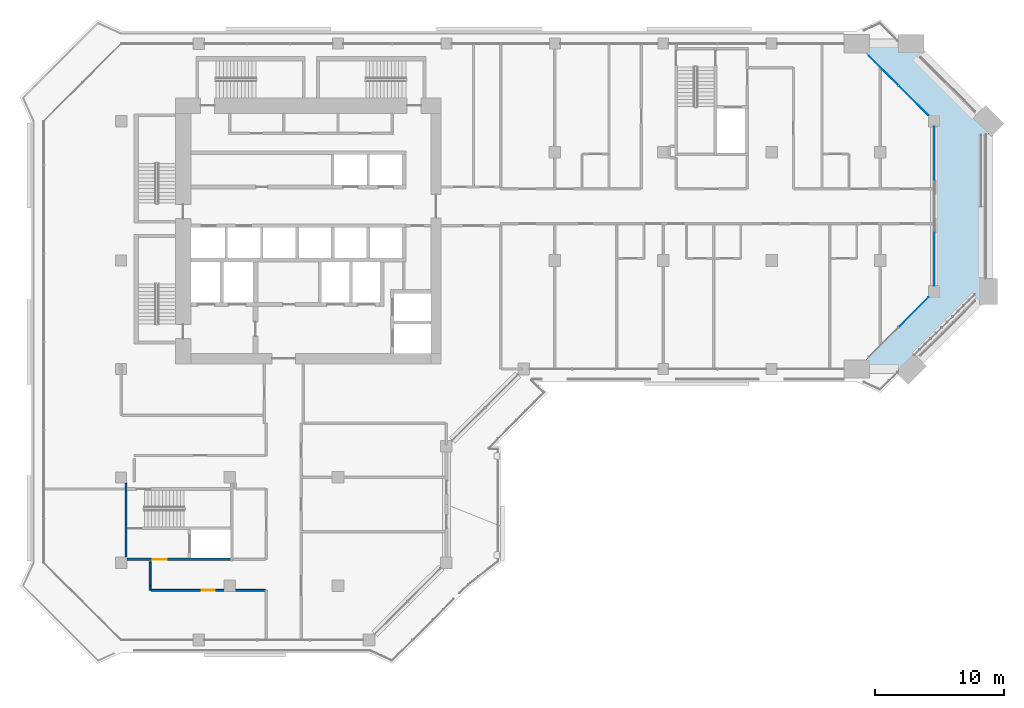
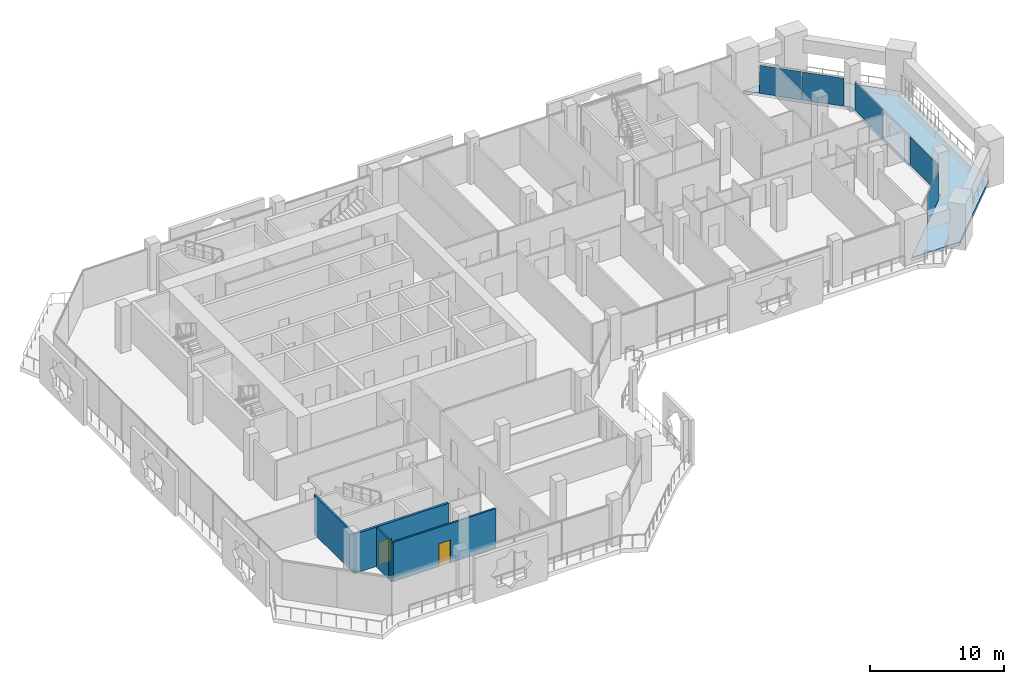
# One storey, part 9 of 21: 5 plates, 5 walls, 2 doors, 1 slab, 2 openings, 3 elements without a shape of their own.
"""IFC4 building model written with IfcOpenShell, lengths in metres."""

from ifc_helpers import new_model, si_unit, direction, frame, frame_2d, origin, origin_2d, place, context, subcontext, project, spatial, polyline, rectangle, outline, extrude, material, layer, layer_set, type_object, element, fill, aggregate, save


model = new_model("IFC4")

# Units and contexts
model_context = context("Model", 3, precision=1e-05, world=origin(), true_north=direction((0.0, 1.0)))
body_context = subcontext(model_context, "Body", "Model", "MODEL_VIEW")
ifc_project = project(units=[si_unit("LENGTHUNIT", "METRE"), si_unit("AREAUNIT", "SQUARE_METRE"), si_unit("VOLUMEUNIT", "CUBIC_METRE"), si_unit("PLANEANGLEUNIT", "RADIAN"), si_unit("MASSUNIT", "GRAM", prefix="KILO")], contexts=[model_context])

# Site, building, storey
site_placement = place(None, origin())
site = spatial("IfcSite", under=ifc_project, at=site_placement, CompositionType="ELEMENT")
building_placement = place(site_placement, origin())
building = spatial("IfcBuilding", under=site, at=building_placement, Name="Kawkab Arch Medical Tower", CompositionType="ELEMENT")
storey_placement = place(building_placement, frame((0.0, 0.0, 230.60009765625)))
storey = spatial("IfcBuildingStorey", under=building, at=storey_placement, Name="L53", CompositionType="ELEMENT", Elevation=230.60009765625)

# Curtain wall, plates
ifc_material_1 = material(Name="Bronze anodised aluminium curtain wall frame", Category="aluminium")
ifc_layer_1 = layer(ifc_material_1, 0.159912109375)
ifc_layer_set_1 = layer_set([ifc_layer_1], Name="Bronze anodised aluminium curtain wall frame")
curtain_wall_type_1 = type_object("IfcCurtainWallType", Name="CW1 ward curtain wall", PredefinedType="NOTDEFINED", material=ifc_layer_set_1)
placement = place(storey_placement, origin())
curtain_wall_1 = element("IfcCurtainWall", 1, at=placement, inside=storey, type_object=curtain_wall_type_1, Name="CW1 Ward curtain wall R09", PredefinedType="NOTDEFINED")
ifc_material_2 = material(Name="Tinted insulating glass, bronze low-e coating", Category="glass")
ifc_layer_2 = layer(ifc_material_2, 0.031982421875)
ifc_layer_set_2 = layer_set([ifc_layer_2], Name="Tinted insulating glass, bronze low-e coating")
plate_type_1 = type_object("IfcPlateType", Name="CW1 glazing unit 32", PredefinedType="CURTAIN_PANEL", material=ifc_layer_set_2)
plate_1_placement = place(storey_placement, frame((63.0, -16.699951171875, -0.000244140625), z_axis=(0.0, 0.0, 1.0), x_axis=(0.0, 1.0, 0.0)))
plate_1 = element("IfcPlate", 2, at=plate_1_placement, type_object=plate_type_1, Name="CW1 glazing unit 1.1", PredefinedType="CURTAIN_PANEL", context=body_context, shape_type="SweptSolid", body=[
    extrude(rectangle(XDim=4.10009765625, YDim=0.031982421875, at=origin_2d()), origin(), (0.0, 0.0, 1.0), 2.580078125),
])
plate_2_placement = place(storey_placement, frame((63.0, -8.5, -0.000244140625), z_axis=(0.0, 0.0, 1.0), x_axis=(0.0, 1.0, 0.0)))
plate_2 = element("IfcPlate", 3, at=plate_2_placement, type_object=plate_type_1, Name="CW1 glazing unit 1.3", PredefinedType="CURTAIN_PANEL", context=body_context, shape_type="SweptSolid", body=[
    extrude(rectangle(XDim=4.10009765625, YDim=0.031982421875, at=origin_2d()), origin(), (0.0, 0.0, 1.0), 2.580078125),
])
aggregate(curtain_wall_1, [plate_1, plate_2])

# Curtain wall, plate
ifc_material_3 = material(Name="Bronze anodised aluminium curtain wall frame", Category="aluminium")
ifc_layer_3 = layer(ifc_material_3, 0.159912109375)
ifc_layer_set_3 = layer_set([ifc_layer_3], Name="Bronze anodised aluminium curtain wall frame")
curtain_wall_type_2 = type_object("IfcCurtainWallType", Name="CW2 chamfer curtain wall", PredefinedType="NOTDEFINED", material=ifc_layer_set_3)
curtain_wall_2 = element("IfcCurtainWall", 4, at=placement, inside=storey, type_object=curtain_wall_type_2, Name="CW2 Chamfer curtain wall R08", PredefinedType="NOTDEFINED")
ifc_material_4 = material(Name="Tinted insulating glass, bronze low-e coating", Category="glass")
ifc_layer_4 = layer(ifc_material_4, 0.031982421875)
ifc_layer_set_4 = layer_set([ifc_layer_4], Name="Tinted insulating glass, bronze low-e coating")
plate_type_2 = type_object("IfcPlateType", Name="CW2 glazing unit 32", PredefinedType="CURTAIN_PANEL", material=ifc_layer_set_4)
plate_3_placement = place(storey_placement, frame((61.40576171875, -20.794189453125, -0.000244140625), z_axis=(0.0, 0.0, 1.0), x_axis=(0.707106781187, 0.707106781187, 0.0)))
plate_3 = element("IfcPlate", 5, at=plate_3_placement, type_object=plate_type_2, Name="CW2 glazing unit 1.2", PredefinedType="CURTAIN_PANEL", context=body_context, shape_type="SweptSolid", body=[
    extrude(rectangle(XDim=3.236572265625, YDim=0.031982421875, at=origin_2d()), origin(), (0.0, 0.0, 1.0), 2.56005859375),
])
aggregate(curtain_wall_2, [plate_3])

# Curtain wall, plates
curtain_wall_3 = element("IfcCurtainWall", 6, at=placement, inside=storey, type_object=curtain_wall_type_2, Name="CW2 Chamfer curtain wall R10", PredefinedType="NOTDEFINED")
plate_4_placement = place(storey_placement, frame((61.40576171875, -4.40576171875, -0.000244140625), z_axis=(0.0, 0.0, 1.0), x_axis=(-0.707106781187, 0.707106781187, 0.0)))
plate_4 = element("IfcPlate", 7, at=plate_4_placement, type_object=plate_type_2, Name="CW2 glazing unit 1.1", PredefinedType="CURTAIN_PANEL", context=body_context, shape_type="SweptSolid", body=[
    extrude(rectangle(XDim=3.236572265625, YDim=0.031982421875, at=origin_2d()), origin(), (0.0, 0.0, 1.0), 2.56005859375),
])
plate_5_placement = place(storey_placement, frame((59.07470703125, -2.07470703125, -0.000244140625), z_axis=(0.0, 0.0, 1.0), x_axis=(-0.707106781187, 0.707106781187, 0.0)))
plate_5 = element("IfcPlate", 8, at=plate_5_placement, type_object=plate_type_2, Name="CW2 glazing unit 1.2", PredefinedType="CURTAIN_PANEL", context=body_context, shape_type="SweptSolid", body=[
    extrude(rectangle(XDim=3.236572265625, YDim=0.031982421875, at=origin_2d()), origin(), (0.0, 0.0, 1.0), 2.56005859375),
])
aggregate(curtain_wall_3, [plate_4, plate_5])

# Slab
ifc_material_5 = material(Name="Concrete C40/50", Category="concrete")
ifc_layer_5 = layer(ifc_material_5, 0.300048828125)
ifc_layer_set_5 = layer_set([ifc_layer_5], Name="Concrete C40/50")
slab_type = type_object("IfcSlabType", Name="Terrace slab 300", PredefinedType="FLOOR", material=ifc_layer_set_5)
slab_placement = place(storey_placement, frame((0.0, 0.0, -0.300048828125)))
element("IfcSlab", 9, at=slab_placement, inside=storey, type_object=slab_type, Name="Terrace slab L53.1", PredefinedType="FLOOR", context=body_context, shape_type="SweptSolid", body=[
    extrude(outline(polyline([(61.196044921875, 0.0), (57.02490234375, 0.0), (57.02392578125, 0.0), (57.02294921875, 0.0), (57.02197265625, 0.0), (57.02099609375, -0.0009765625), (57.02001953125, -0.0009765625), (57.01904296875, -0.001953125), (57.01806640625, -0.0029296875), (57.01708984375, -0.00390625), (57.01611328125, -0.0048828125), (57.01611328125, -0.006103515625), (57.014892578125, -0.007080078125), (57.014892578125, -0.008056640625), (57.014892578125, -0.009033203125), (57.014892578125, -0.010009765625), (57.014892578125, -0.010986328125), (57.014892578125, -0.011962890625), (57.014892578125, -0.012939453125), (57.01611328125, -0.013916015625), (57.01611328125, -0.014892578125), (57.01708984375, -0.01611328125), (57.01806640625, -0.01708984375), (63.0, -6.0), (63.0009765625, -6.0), (63.0009765625, -19.199951171875), (63.0, -19.199951171875), (57.01806640625, -25.18310546875), (57.01708984375, -25.18408203125), (57.01611328125, -25.18505859375), (57.01611328125, -25.18603515625), (57.014892578125, -25.18701171875), (57.014892578125, -25.18798828125), (57.014892578125, -25.18896484375), (57.014892578125, -25.18994140625), (57.014892578125, -25.19091796875), (57.014892578125, -25.19189453125), (57.014892578125, -25.193115234375), (57.01611328125, -25.194091796875), (57.01611328125, -25.195068359375), (57.01708984375, -25.196044921875), (57.01806640625, -25.197021484375), (57.01904296875, -25.197998046875), (57.02001953125, -25.198974609375), (57.02099609375, -25.198974609375), (57.02197265625, -25.199951171875), (57.02294921875, -25.199951171875), (57.02392578125, -25.199951171875), (57.02490234375, -25.199951171875), (61.196044921875, -25.199951171875), (61.197021484375, -25.199951171875), (61.197998046875, -25.199951171875), (61.198974609375, -25.199951171875), (61.199951171875, -25.198974609375), (61.200927734375, -25.198974609375), (61.200927734375, -25.197998046875), (61.201904296875, -25.197998046875), (61.202880859375, -25.197021484375), (67.197021484375, -19.202880859375), (67.197998046875, -19.201904296875), (67.197998046875, -19.200927734375), (67.198974609375, -19.200927734375), (67.198974609375, -19.199951171875), (67.199951171875, -19.198974609375), (67.199951171875, -19.197998046875), (67.199951171875, -19.197021484375), (67.199951171875, -19.196044921875), (67.199951171875, -6.00390625), (67.199951171875, -6.0029296875), (67.199951171875, -6.001953125), (67.199951171875, -6.0009765625), (67.198974609375, -6.0), (67.198974609375, -5.9990234375), (67.197998046875, -5.9990234375), (67.197998046875, -5.998046875), (67.197021484375, -5.9970703125), (61.202880859375, -0.0029296875), (61.201904296875, -0.001953125), (61.200927734375, -0.001953125), (61.200927734375, -0.0009765625), (61.199951171875, -0.0009765625), (61.198974609375, 0.0), (61.197998046875, 0.0), (61.197021484375, 0.0), (61.196044921875, 0.0)])), origin(), (0.0, 0.0, 1.0), 0.300048828125),
])

# Wall, opening, door
ifc_material_6 = material(Name="Gypsum board partition on steel studs, mineral wool", Category="steel")
ifc_layer_6 = layer(ifc_material_6, 0.14990234375)
ifc_layer_set_6 = layer_set([ifc_layer_6], Name="Gypsum board partition on steel studs, mineral wool")
wall_type_1 = type_object("IfcWallType", Name="Partition 150", PredefinedType="PARTITIONING", material=ifc_layer_set_6)
wall_1_placement = place(storey_placement, frame((2.326904296875, -42.35009765625, 0.0), z_axis=(0.0, 0.0, 1.0), x_axis=(1.0, 0.0, 0.0)))
wall_1 = element("IfcWall", 10, at=wall_1_placement, inside=storey, type_object=wall_type_1, Name="Partition 150 w012", PredefinedType="PARTITIONING", context=body_context, shape_type="SweptSolid", body=[
    extrude(rectangle(XDim=8.84814453125, YDim=0.14990234375, at=frame_2d((4.424072265625, 0.0))), origin(), (0.0, 0.0, 1.0), 3.599853515625),
])
opening_1_placement = place(wall_1_placement, frame((3.924072265625, 0.0, 0.0)))
opening_1 = element("IfcOpeningElement", 11, at=opening_1_placement, cuts=wall_1, Name="Opening W53-020", PredefinedType="OPENING", context=body_context, shape_type="SweptSolid", body=[
    extrude(rectangle(XDim=1.0, YDim=2.10009765625, at=frame_2d((0.5, 1.050048828125))), frame((0.0, 0.0849609375, 0.0), z_axis=(0.0, -1.0, 0.0), x_axis=(1.0, 0.0, 0.0)), (0.0, 0.0, 1.0), 0.169921875),
])
ifc_material_7 = material(Name="Hollow metal door leaf")
door_type_1 = type_object("IfcDoorType", Name="Single door 1000x2100 FD30S", OperationType="NOTDEFINED", PredefinedType="DOOR", material=ifc_material_7)
door_1_placement = place(opening_1_placement, origin())
door_1 = element("IfcDoor", 12, at=door_1_placement, inside=storey, type_object=door_type_1, Name="Door W53-020", OperationType="SINGLE_SWING_RIGHT", OverallHeight=2.10009765625, OverallWidth=1.0, PredefinedType="DOOR", context=body_context, shape_type="SweptSolid", body=[
    extrude(rectangle(XDim=1.0, YDim=2.10009765625, at=frame_2d((0.5, 1.050048828125))), frame((0.0, 0.02490234375, 0.0), z_axis=(0.0, -1.0, 0.0), x_axis=(1.0, 0.0, 0.0)), (0.0, 0.0, 1.0), 0.050048828125),
])
fill(opening_1, door_1)

# Walls
wall_2_placement = place(storey_placement, frame((2.25, -42.347900390625, 0.0), z_axis=(0.0, 0.0, 1.0), x_axis=(0.0, 1.0, 0.0)))
element("IfcWall", 13, at=wall_2_placement, inside=storey, type_object=wall_type_1, Name="Partition 150 w033", PredefinedType="PARTITIONING", context=body_context, shape_type="SweptSolid", body=[
    extrude(rectangle(XDim=0.347900390625, YDim=0.14990234375, at=frame_2d((0.173828125, 0.0))), origin(), (0.0, 0.0, 1.0), 3.599853515625),
])
wall_3_placement = place(storey_placement, frame((2.25, -41.97998046875, 0.0), z_axis=(0.0, 0.0, 1.0), x_axis=(0.0, 1.0, 0.0)))
element("IfcWall", 14, at=wall_3_placement, inside=storey, type_object=wall_type_1, Name="Partition 150 w034", PredefinedType="PARTITIONING", context=body_context, shape_type="SweptSolid", body=[
    extrude(rectangle(XDim=1.830078125, YDim=0.14990234375, at=frame_2d((0.9150390625, 0.0))), origin(), (0.0, 0.0, 1.0), 3.599853515625),
])
ifc_material_8 = material(Name="Concrete C50/60", Category="concrete")
ifc_layer_7 = layer(ifc_material_8, 0.14990234375)
ifc_layer_set_7 = layer_set([ifc_layer_7], Name="Concrete C50/60")
wall_type_2 = type_object("IfcWallType", Name="Stair enclosure wall 150 C50/60", PredefinedType="SHEAR", material=ifc_layer_set_7)
wall_4_placement = place(storey_placement, frame((0.375, -40.050048828125, 0.0), z_axis=(0.0, 0.0, 1.0), x_axis=(0.0, 1.0, 0.0)))
element("IfcWall", 15, at=wall_4_placement, inside=storey, type_object=wall_type_2, Name="L53 stair enclosure wall", PredefinedType="SHEAR", context=body_context, shape_type="SweptSolid", body=[
    extrude(rectangle(XDim=6.025146484375, YDim=0.14990234375, at=frame_2d((3.0126953125, 0.0))), origin(), (0.0, 0.0, 1.0), 3.599853515625),
])

# Wall, opening, door
ifc_material_9 = material(Name="Concrete C50/60", Category="concrete")
ifc_layer_8 = layer(ifc_material_9, 0.199951171875)
ifc_layer_set_8 = layer_set([ifc_layer_8], Name="Concrete C50/60")
wall_type_3 = type_object("IfcWallType", Name="Stair enclosure wall 200 C50/60", PredefinedType="SHEAR", material=ifc_layer_set_8)
wall_5_placement = place(storey_placement, frame((0.449951171875, -39.949951171875, 0.0), z_axis=(0.0, 0.0, 1.0), x_axis=(1.0, 0.0, 0.0)))
wall_5 = element("IfcWall", 16, at=wall_5_placement, inside=storey, type_object=wall_type_3, Name="L53 stair enclosure wall", PredefinedType="SHEAR", context=body_context, shape_type="SweptSolid", body=[
    extrude(rectangle(XDim=8.050048828125, YDim=0.199951171875, at=frame_2d((4.02490234375, 0.0))), origin(), (0.0, 0.0, 1.0), 3.599853515625),
])
opening_2_placement = place(wall_5_placement, frame((2.0, 0.0, 0.0)))
opening_2 = element("IfcOpeningElement", 17, at=opening_2_placement, cuts=wall_5, Name="Opening FD", PredefinedType="OPENING", context=body_context, shape_type="SweptSolid", body=[
    extrude(rectangle(XDim=1.10009765625, YDim=2.10009765625, at=frame_2d((0.550048828125, 1.050048828125))), frame((0.0, 0.10986328125, 0.0), z_axis=(0.0, -1.0, 0.0), x_axis=(1.0, 0.0, 0.0)), (0.0, 0.0, 1.0), 0.219970703125),
])
ifc_material_10 = material(Name="Hollow metal fire door leaf")
door_type_2 = type_object("IfcDoorType", Name="Firefighting lobby door 1100", OperationType="SINGLE_SWING_LEFT", PredefinedType="DOOR", material=ifc_material_10)
door_2_placement = place(opening_2_placement, origin())
door_2 = element("IfcDoor", 18, at=door_2_placement, inside=storey, type_object=door_type_2, Name="L53 Service lift lobby door SV2", OperationType="SINGLE_SWING_LEFT", OverallHeight=2.10009765625, OverallWidth=1.10009765625, PredefinedType="DOOR", context=body_context, shape_type="SweptSolid", body=[
    extrude(rectangle(XDim=1.10009765625, YDim=2.10009765625, at=frame_2d((0.550048828125, 1.050048828125))), frame((0.0, 0.02490234375, 0.0), z_axis=(0.0, -1.0, 0.0), x_axis=(1.0, 0.0, 0.0)), (0.0, 0.0, 1.0), 0.050048828125),
])
fill(opening_2, door_2)

save(model, "model.ifc")
